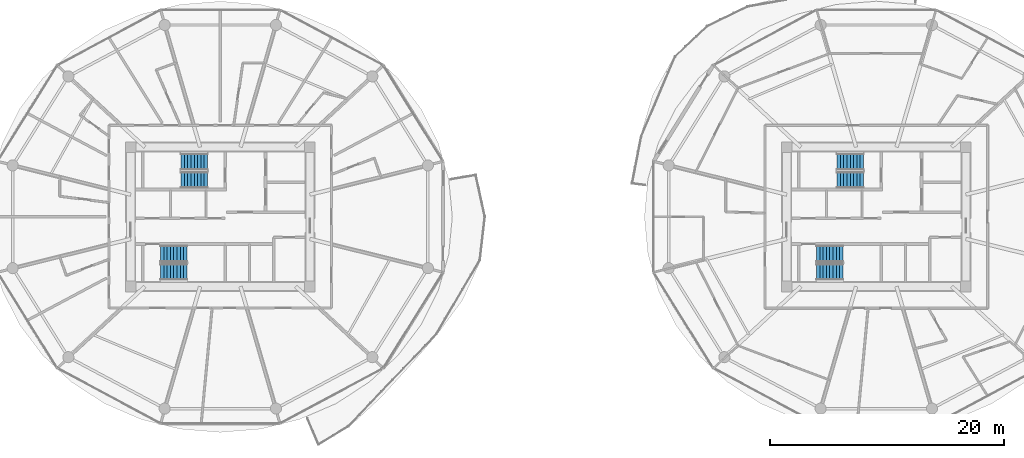
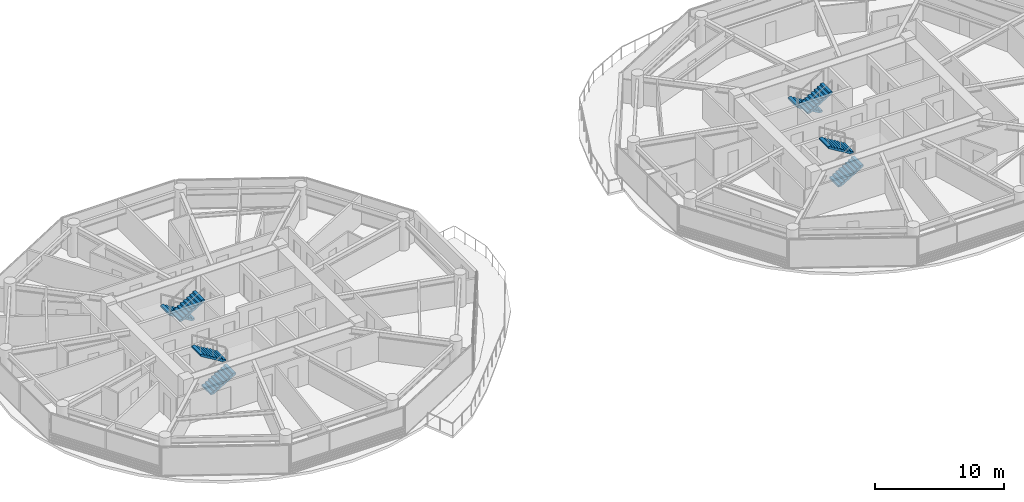
# One storey, part 21 of 27: 8 stair flights, 4 elements without a shape of their own.
"""IFC4 building model written with IfcOpenShell, lengths in metres."""

from ifc_helpers import new_model, si_unit, direction, frame, origin, place, context, subcontext, project, spatial, polyline, outline, extrude, material, type_object, element, aggregate, save


model = new_model("IFC4")

# Units and contexts
model_context = context("Model", 3, precision=1e-05, world=origin(), true_north=direction((0.0, 1.0)))
body_context = subcontext(model_context, "Body", "Model", "MODEL_VIEW")
ifc_project = project(units=[si_unit("LENGTHUNIT", "METRE"), si_unit("AREAUNIT", "SQUARE_METRE"), si_unit("VOLUMEUNIT", "CUBIC_METRE"), si_unit("PLANEANGLEUNIT", "RADIAN"), si_unit("MASSUNIT", "GRAM", prefix="KILO")], contexts=[model_context])

# Site, building, storey
site_placement = place(None, origin())
site = spatial("IfcSite", under=ifc_project, at=site_placement, CompositionType="ELEMENT")
building_placement = place(site_placement, origin())
building = spatial("IfcBuilding", under=site, at=building_placement, Name="Norrkilde Senior Care Towers", CompositionType="ELEMENT")
storey_placement = place(building_placement, frame((0.0, 0.0, 61.25)))
storey = spatial("IfcBuildingStorey", under=building, at=storey_placement, Name="L18", CompositionType="ELEMENT", Elevation=61.25)

# Stair, stair flights
ifc_material = material(Name="Concrete C45/55", Category="concrete")
stair_type = type_object("IfcStairType", Name="Core Protected Dogleg Stair Typical 3050", PredefinedType="HALF_TURN_STAIR", material=ifc_material)
stair_1_placement = place(storey_placement, origin())
stair_1 = element("IfcStair", 1, at=stair_1_placement, inside=storey, type_object=stair_type, Name="L18 Protected Core Stair W1", PredefinedType="HALF_TURN_STAIR")
stair_flight_type = type_object("IfcStairFlightType", Name="Core Protected Dogleg Stair Typical 3050 Flight", PredefinedType="STRAIGHT", material=ifc_material)
stair_flight_1_placement = place(storey_placement, frame((-29.10009765625, 4.699951171875, 0.0), z_axis=(0.0, 0.0, 1.0), x_axis=(-1.0, 0.0, 0.0)))
stair_flight_1 = element("IfcStairFlight", 2, at=stair_flight_1_placement, type_object=stair_flight_type, Name="ST-W1 flight 1", NumberOfRisers=9, NumberOfTreads=8, PredefinedType="STRAIGHT", RiserHeight=0.169444444, TreadLength=0.28, context=body_context, shape_type="SweptSolid", body=[
    extrude(outline(polyline([(0.0, 0.0), (0.0, 0.16943359375), (0.280029296875, 0.16943359375), (0.280029296875, 0.3388671875), (0.56005859375, 0.3388671875), (0.56005859375, 0.50830078125), (0.840087890625, 0.50830078125), (0.840087890625, 0.677734375), (1.1201171875, 0.677734375), (1.1201171875, 0.84716796875), (1.39990234375, 0.84716796875), (1.39990234375, 1.0166015625), (1.679931640625, 1.0166015625), (1.679931640625, 1.18603515625), (1.9599609375, 1.18603515625), (1.9599609375, 1.35546875), (2.239990234375, 1.35546875), (2.239990234375, 1.52490234375), (2.239990234375, 1.180419921875), (0.28955078125, 0.0), (0.0, 0.0)])), frame((0.0, 0.699951171875, 0.0), z_axis=(0.0, -1.0, 0.0), x_axis=(1.0, 0.0, 0.0)), (0.0, 0.0, 1.0), 1.39990234375),
])
stair_flight_2_placement = place(storey_placement, frame((-31.340087890625, 3.14990234375, 1.52490234375), z_axis=(0.0, 0.0, 1.0), x_axis=(1.0, 0.0, 0.0)))
stair_flight_2 = element("IfcStairFlight", 3, at=stair_flight_2_placement, type_object=stair_flight_type, Name="ST-W1 flight 2", NumberOfRisers=9, NumberOfTreads=8, PredefinedType="STRAIGHT", RiserHeight=0.169444444, TreadLength=0.28, context=body_context, shape_type="SweptSolid", body=[
    extrude(outline(polyline([(0.0, 0.0), (0.0, 0.16943359375), (0.280029296875, 0.16943359375), (0.280029296875, 0.3388671875), (0.56005859375, 0.3388671875), (0.56005859375, 0.50830078125), (0.840087890625, 0.50830078125), (0.840087890625, 0.677734375), (1.1201171875, 0.677734375), (1.1201171875, 0.84716796875), (1.39990234375, 0.84716796875), (1.39990234375, 1.0166015625), (1.679931640625, 1.0166015625), (1.679931640625, 1.18603515625), (1.9599609375, 1.18603515625), (1.9599609375, 1.35546875), (2.239990234375, 1.35546875), (2.239990234375, 1.52490234375), (2.239990234375, 1.180419921875), (0.28955078125, 0.0), (0.0, 0.0)])), frame((0.0, 0.699951171875, 0.0), z_axis=(0.0, -1.0, 0.0), x_axis=(1.0, 0.0, 0.0)), (0.0, 0.0, 1.0), 1.39990234375),
])
aggregate(stair_1, [stair_flight_1, stair_flight_2])

stair_2_placement = place(storey_placement, origin())
stair_2 = element("IfcStair", 4, at=stair_2_placement, inside=storey, type_object=stair_type, Name="L18 Protected Core Stair W2", PredefinedType="HALF_TURN_STAIR")
stair_flight_3_placement = place(storey_placement, frame((-33.10009765625, -4.699951171875, 0.0), z_axis=(0.0, 0.0, 1.0), x_axis=(1.0, 0.0, 0.0)))
stair_flight_3 = element("IfcStairFlight", 5, at=stair_flight_3_placement, type_object=stair_flight_type, Name="ST-W2 flight 1", NumberOfRisers=9, NumberOfTreads=8, PredefinedType="STRAIGHT", RiserHeight=0.169444444, TreadLength=0.28, context=body_context, shape_type="SweptSolid", body=[
    extrude(outline(polyline([(0.0, 0.0), (0.0, 0.16943359375), (0.280029296875, 0.16943359375), (0.280029296875, 0.3388671875), (0.56005859375, 0.3388671875), (0.56005859375, 0.50830078125), (0.840087890625, 0.50830078125), (0.840087890625, 0.677734375), (1.1201171875, 0.677734375), (1.1201171875, 0.84716796875), (1.39990234375, 0.84716796875), (1.39990234375, 1.0166015625), (1.679931640625, 1.0166015625), (1.679931640625, 1.18603515625), (1.9599609375, 1.18603515625), (1.9599609375, 1.35546875), (2.239990234375, 1.35546875), (2.239990234375, 1.52490234375), (2.239990234375, 1.180419921875), (0.28955078125, 0.0), (0.0, 0.0)])), frame((0.0, 0.699951171875, 0.0), z_axis=(0.0, -1.0, 0.0), x_axis=(1.0, 0.0, 0.0)), (0.0, 0.0, 1.0), 1.39990234375),
])
stair_flight_4_placement = place(storey_placement, frame((-30.860107421875, -3.14990234375, 1.52490234375), z_axis=(0.0, 0.0, 1.0), x_axis=(-1.0, 0.0, 0.0)))
stair_flight_4 = element("IfcStairFlight", 6, at=stair_flight_4_placement, type_object=stair_flight_type, Name="ST-W2 flight 2", NumberOfRisers=9, NumberOfTreads=8, PredefinedType="STRAIGHT", RiserHeight=0.169444444, TreadLength=0.28, context=body_context, shape_type="SweptSolid", body=[
    extrude(outline(polyline([(0.0, 0.0), (0.0, 0.16943359375), (0.280029296875, 0.16943359375), (0.280029296875, 0.3388671875), (0.56005859375, 0.3388671875), (0.56005859375, 0.50830078125), (0.840087890625, 0.50830078125), (0.840087890625, 0.677734375), (1.1201171875, 0.677734375), (1.1201171875, 0.84716796875), (1.39990234375, 0.84716796875), (1.39990234375, 1.0166015625), (1.679931640625, 1.0166015625), (1.679931640625, 1.18603515625), (1.9599609375, 1.18603515625), (1.9599609375, 1.35546875), (2.239990234375, 1.35546875), (2.239990234375, 1.52490234375), (2.239990234375, 1.180419921875), (0.28955078125, 0.0), (0.0, 0.0)])), frame((0.0, 0.699951171875, 0.0), z_axis=(0.0, -1.0, 0.0), x_axis=(1.0, 0.0, 0.0)), (0.0, 0.0, 1.0), 1.39990234375),
])
aggregate(stair_2, [stair_flight_3, stair_flight_4])

stair_3_placement = place(storey_placement, origin())
stair_3 = element("IfcStair", 7, at=stair_3_placement, inside=storey, type_object=stair_type, Name="L18 Protected Core Stair E1", PredefinedType="HALF_TURN_STAIR")
stair_flight_5_placement = place(storey_placement, frame((26.89990234375, 4.699951171875, 0.0), z_axis=(0.0, 0.0, 1.0), x_axis=(-1.0, 0.0, 0.0)))
stair_flight_5 = element("IfcStairFlight", 8, at=stair_flight_5_placement, type_object=stair_flight_type, Name="ST-E1 flight 1", NumberOfRisers=9, NumberOfTreads=8, PredefinedType="STRAIGHT", RiserHeight=0.169444444, TreadLength=0.28, context=body_context, shape_type="SweptSolid", body=[
    extrude(outline(polyline([(0.0, 0.0), (0.0, 0.16943359375), (0.280029296875, 0.16943359375), (0.280029296875, 0.3388671875), (0.56005859375, 0.3388671875), (0.56005859375, 0.50830078125), (0.840087890625, 0.50830078125), (0.840087890625, 0.677734375), (1.1201171875, 0.677734375), (1.1201171875, 0.84716796875), (1.39990234375, 0.84716796875), (1.39990234375, 1.0166015625), (1.679931640625, 1.0166015625), (1.679931640625, 1.18603515625), (1.9599609375, 1.18603515625), (1.9599609375, 1.35546875), (2.239990234375, 1.35546875), (2.239990234375, 1.52490234375), (2.239990234375, 1.180419921875), (0.28955078125, 0.0), (0.0, 0.0)])), frame((0.0, 0.699951171875, 0.0), z_axis=(0.0, -1.0, 0.0), x_axis=(1.0, 0.0, 0.0)), (0.0, 0.0, 1.0), 1.39990234375),
])
stair_flight_6_placement = place(storey_placement, frame((24.659912109375, 3.14990234375, 1.52490234375), z_axis=(0.0, 0.0, 1.0), x_axis=(1.0, 0.0, 0.0)))
stair_flight_6 = element("IfcStairFlight", 9, at=stair_flight_6_placement, type_object=stair_flight_type, Name="ST-E1 flight 2", NumberOfRisers=9, NumberOfTreads=8, PredefinedType="STRAIGHT", RiserHeight=0.169444444, TreadLength=0.28, context=body_context, shape_type="SweptSolid", body=[
    extrude(outline(polyline([(0.0, 0.0), (0.0, 0.16943359375), (0.280029296875, 0.16943359375), (0.280029296875, 0.3388671875), (0.56005859375, 0.3388671875), (0.56005859375, 0.50830078125), (0.840087890625, 0.50830078125), (0.840087890625, 0.677734375), (1.1201171875, 0.677734375), (1.1201171875, 0.84716796875), (1.39990234375, 0.84716796875), (1.39990234375, 1.0166015625), (1.679931640625, 1.0166015625), (1.679931640625, 1.18603515625), (1.9599609375, 1.18603515625), (1.9599609375, 1.35546875), (2.239990234375, 1.35546875), (2.239990234375, 1.52490234375), (2.239990234375, 1.180419921875), (0.28955078125, 0.0), (0.0, 0.0)])), frame((0.0, 0.699951171875, 0.0), z_axis=(0.0, -1.0, 0.0), x_axis=(1.0, 0.0, 0.0)), (0.0, 0.0, 1.0), 1.39990234375),
])
aggregate(stair_3, [stair_flight_5, stair_flight_6])

stair_4_placement = place(storey_placement, origin())
stair_4 = element("IfcStair", 10, at=stair_4_placement, inside=storey, type_object=stair_type, Name="L18 Protected Core Stair E2", PredefinedType="HALF_TURN_STAIR")
stair_flight_7_placement = place(storey_placement, frame((22.89990234375, -4.699951171875, 0.0), z_axis=(0.0, 0.0, 1.0), x_axis=(1.0, 0.0, 0.0)))
stair_flight_7 = element("IfcStairFlight", 11, at=stair_flight_7_placement, type_object=stair_flight_type, Name="ST-E2 flight 1", NumberOfRisers=9, NumberOfTreads=8, PredefinedType="STRAIGHT", RiserHeight=0.169444444, TreadLength=0.28, context=body_context, shape_type="SweptSolid", body=[
    extrude(outline(polyline([(0.0, 0.0), (0.0, 0.16943359375), (0.280029296875, 0.16943359375), (0.280029296875, 0.3388671875), (0.56005859375, 0.3388671875), (0.56005859375, 0.50830078125), (0.840087890625, 0.50830078125), (0.840087890625, 0.677734375), (1.1201171875, 0.677734375), (1.1201171875, 0.84716796875), (1.39990234375, 0.84716796875), (1.39990234375, 1.0166015625), (1.679931640625, 1.0166015625), (1.679931640625, 1.18603515625), (1.9599609375, 1.18603515625), (1.9599609375, 1.35546875), (2.239990234375, 1.35546875), (2.239990234375, 1.52490234375), (2.239990234375, 1.180419921875), (0.28955078125, 0.0), (0.0, 0.0)])), frame((0.0, 0.699951171875, 0.0), z_axis=(0.0, -1.0, 0.0), x_axis=(1.0, 0.0, 0.0)), (0.0, 0.0, 1.0), 1.39990234375),
])
stair_flight_8_placement = place(storey_placement, frame((25.139892578125, -3.14990234375, 1.52490234375), z_axis=(0.0, 0.0, 1.0), x_axis=(-1.0, 0.0, 0.0)))
stair_flight_8 = element("IfcStairFlight", 12, at=stair_flight_8_placement, type_object=stair_flight_type, Name="ST-E2 flight 2", NumberOfRisers=9, NumberOfTreads=8, PredefinedType="STRAIGHT", RiserHeight=0.169444444, TreadLength=0.28, context=body_context, shape_type="SweptSolid", body=[
    extrude(outline(polyline([(0.0, 0.0), (0.0, 0.16943359375), (0.280029296875, 0.16943359375), (0.280029296875, 0.3388671875), (0.56005859375, 0.3388671875), (0.56005859375, 0.50830078125), (0.840087890625, 0.50830078125), (0.840087890625, 0.677734375), (1.1201171875, 0.677734375), (1.1201171875, 0.84716796875), (1.39990234375, 0.84716796875), (1.39990234375, 1.0166015625), (1.679931640625, 1.0166015625), (1.679931640625, 1.18603515625), (1.9599609375, 1.18603515625), (1.9599609375, 1.35546875), (2.239990234375, 1.35546875), (2.239990234375, 1.52490234375), (2.239990234375, 1.180419921875), (0.28955078125, 0.0), (0.0, 0.0)])), frame((0.0, 0.699951171875, 0.0), z_axis=(0.0, -1.0, 0.0), x_axis=(1.0, 0.0, 0.0)), (0.0, 0.0, 1.0), 1.39990234375),
])
aggregate(stair_4, [stair_flight_7, stair_flight_8])

save(model, "model.ifc")
